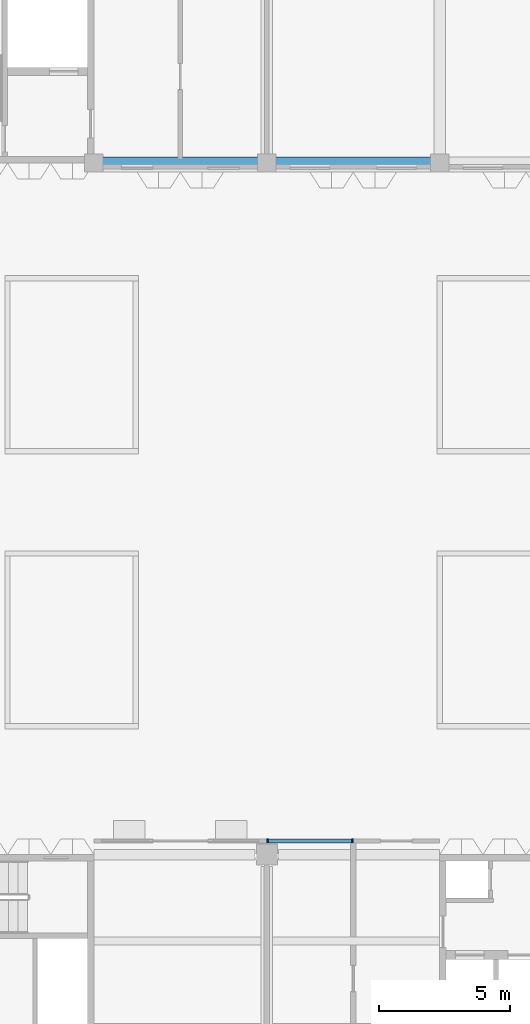
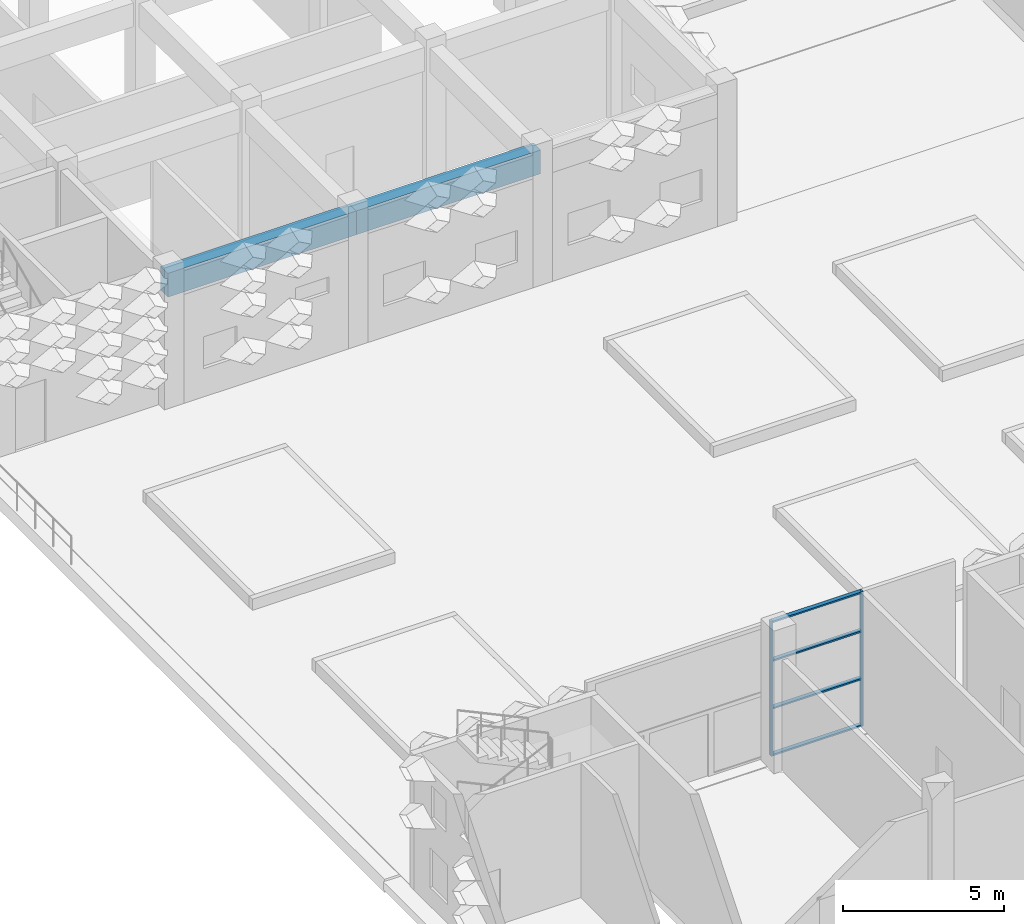
# One storey, part 6 of 85: 6 members, 2 beams, 1 element without a shape of its own.
"""IFC4 building model written with IfcOpenShell, lengths in metres."""

from ifc_helpers import new_model, si_unit, direction, frame, origin, origin_2d, place, context, subcontext, project, spatial, rectangle, extrude, material, material_profile, profile_set, type_object, element, aggregate, save


model = new_model("IFC4")

# Units and contexts
model_context = context("Model", 3, precision=1e-05, world=origin(), true_north=direction((0.0, 1.0)))
body_context = subcontext(model_context, "Body", "Model", "MODEL_VIEW")
ifc_project = project(units=[si_unit("LENGTHUNIT", "METRE"), si_unit("AREAUNIT", "SQUARE_METRE"), si_unit("VOLUMEUNIT", "CUBIC_METRE"), si_unit("PLANEANGLEUNIT", "RADIAN"), si_unit("MASSUNIT", "GRAM", prefix="KILO")], contexts=[model_context])

# Site, building, storey
site_placement = place(None, origin())
site = spatial("IfcSite", under=ifc_project, at=site_placement, CompositionType="ELEMENT")
building_placement = place(site_placement, origin())
building = spatial("IfcBuilding", under=site, at=building_placement, Name="Lantern Court Research Institute", CompositionType="ELEMENT")
storey_placement = place(building_placement, origin())
storey = spatial("IfcBuildingStorey", under=building, at=storey_placement, Name="L00", CompositionType="ELEMENT", Elevation=0.0)

# Beams
ifc_material_1 = material(Name="Concrete C40/50", Category="concrete")
ifc_material_profile_1 = material_profile(ifc_material_1, rectangle(XDim=0.449951171875, YDim=0.89990234375, at=origin_2d()), Name="Clean room beam 450 x 900")
ifc_profile_set_1 = profile_set([ifc_material_profile_1], Name="Concrete C40/50")
beam_type = type_object("IfcBeamType", Name="Clean room beam 450 x 900", PredefinedType="BEAM", material=ifc_profile_set_1)
beam_1_placement = place(storey_placement, frame((6.449951171875, 49.5, 4.60009765625), z_axis=(1.0, 0.0, 0.0), x_axis=(0.0, 1.0, 0.0)))
element("IfcBeam", 1, at=beam_1_placement, inside=storey, type_object=beam_type, Name="Clean room beam", PredefinedType="BEAM", context=body_context, shape_type="SweptSolid", body=[
    extrude(rectangle(XDim=0.449951171875, YDim=0.89990234375, at=origin_2d()), origin(), (0.0, 0.0, 1.0), 6.75),
])
beam_2_placement = place(storey_placement, frame((13.199951171875, 49.5, 4.60009765625), z_axis=(1.0, 0.0, 0.0), x_axis=(0.0, 1.0, 0.0)))
element("IfcBeam", 2, at=beam_2_placement, inside=storey, type_object=beam_type, Name="Clean room beam", PredefinedType="BEAM", context=body_context, shape_type="SweptSolid", body=[
    extrude(rectangle(XDim=0.449951171875, YDim=0.89990234375, at=origin_2d()), origin(), (0.0, 0.0, 1.0), 6.60009765625),
])

# Curtain wall, members
ifc_material_2 = material(Name="Aluminium alloy 6063-T6", Category="aluminium")
curtain_wall_type = type_object("IfcCurtainWallType", Name="Curtain wall 3300 x 5100 x 150 aluminium frame", PredefinedType="NOTDEFINED", material=ifc_material_2)
curtain_wall_placement = place(storey_placement, origin())
curtain_wall = element("IfcCurtainWall", 3, at=curtain_wall_placement, inside=storey, type_object=curtain_wall_type, Name="Curtain wall CW006", PredefinedType="NOTDEFINED")
ifc_material_3 = material(Name="Aluminium alloy 6063-T6", Category="aluminium")
ifc_material_profile_2 = material_profile(ifc_material_3, rectangle(XDim=0.14990234375, YDim=0.06005859375, at=origin_2d()), Name="Mullion 150 x 60")
ifc_profile_set_2 = profile_set([ifc_material_profile_2], Name="Aluminium alloy 6063-T6")
member_type_1 = type_object("IfcMemberType", Name="Mullion 150 x 60 aluminium", PredefinedType="MULLION", material=ifc_profile_set_2)
member_1_placement = place(storey_placement, frame((13.22998046875, 23.625, 0.0), z_axis=(0.0, 0.0, 1.0), x_axis=(0.0, 1.0, 0.0)))
member_1 = element("IfcMember", 4, at=member_1_placement, type_object=member_type_1, Name="CW006 mullion 1", PredefinedType="MULLION", context=body_context, shape_type="SweptSolid", body=[
    extrude(rectangle(XDim=0.14990234375, YDim=0.06005859375, at=origin_2d()), origin(), (0.0, 0.0, 1.0), 5.10009765625),
])
member_2_placement = place(storey_placement, frame((16.469970703125, 23.625, 0.0), z_axis=(0.0, 0.0, 1.0), x_axis=(0.0, 1.0, 0.0)))
member_2 = element("IfcMember", 5, at=member_2_placement, type_object=member_type_1, Name="CW006 mullion 2", PredefinedType="MULLION", context=body_context, shape_type="SweptSolid", body=[
    extrude(rectangle(XDim=0.14990234375, YDim=0.06005859375, at=origin_2d()), origin(), (0.0, 0.0, 1.0), 5.10009765625),
])
ifc_material_4 = material(Name="Aluminium alloy 6063-T6", Category="aluminium")
ifc_material_profile_3 = material_profile(ifc_material_4, rectangle(XDim=0.14990234375, YDim=0.06005859375, at=origin_2d()), Name="Transom 150 x 60")
ifc_profile_set_3 = profile_set([ifc_material_profile_3], Name="Aluminium alloy 6063-T6")
member_type_2 = type_object("IfcMemberType", Name="Transom 150 x 60 aluminium", PredefinedType="USERDEFINED", material=ifc_profile_set_3)
member_3_placement = place(storey_placement, frame((13.260009765625, 23.625, 0.030029296875), z_axis=(1.0, 0.0, 0.0), x_axis=(0.0, 1.0, 0.0)))
member_3 = element("IfcMember", 6, at=member_3_placement, type_object=member_type_2, Name="CW006 transom 1.1", ObjectType="TRANSOM", PredefinedType="USERDEFINED", context=body_context, shape_type="SweptSolid", body=[
    extrude(rectangle(XDim=0.14990234375, YDim=0.06005859375, at=origin_2d()), origin(), (0.0, 0.0, 1.0), 3.179931640625),
])
member_4_placement = place(storey_placement, frame((13.260009765625, 23.625, 1.800048828125), z_axis=(1.0, 0.0, 0.0), x_axis=(0.0, 1.0, 0.0)))
member_4 = element("IfcMember", 7, at=member_4_placement, type_object=member_type_2, Name="CW006 transom 1.2", ObjectType="TRANSOM", PredefinedType="USERDEFINED", context=body_context, shape_type="SweptSolid", body=[
    extrude(rectangle(XDim=0.14990234375, YDim=0.06005859375, at=origin_2d()), origin(), (0.0, 0.0, 1.0), 3.179931640625),
])
member_5_placement = place(storey_placement, frame((13.260009765625, 23.625, 3.60009765625), z_axis=(1.0, 0.0, 0.0), x_axis=(0.0, 1.0, 0.0)))
member_5 = element("IfcMember", 8, at=member_5_placement, type_object=member_type_2, Name="CW006 transom 1.3", ObjectType="TRANSOM", PredefinedType="USERDEFINED", context=body_context, shape_type="SweptSolid", body=[
    extrude(rectangle(XDim=0.14990234375, YDim=0.06005859375, at=origin_2d()), origin(), (0.0, 0.0, 1.0), 3.179931640625),
])
member_6_placement = place(storey_placement, frame((13.260009765625, 23.625, 5.070068359375), z_axis=(1.0, 0.0, 0.0), x_axis=(0.0, 1.0, 0.0)))
member_6 = element("IfcMember", 9, at=member_6_placement, type_object=member_type_2, Name="CW006 transom 1.4", ObjectType="TRANSOM", PredefinedType="USERDEFINED", context=body_context, shape_type="SweptSolid", body=[
    extrude(rectangle(XDim=0.14990234375, YDim=0.06005859375, at=origin_2d()), origin(), (0.0, 0.0, 1.0), 3.179931640625),
])
aggregate(curtain_wall, [member_1, member_2, member_3, member_4, member_5, member_6])

save(model, "model.ifc")
